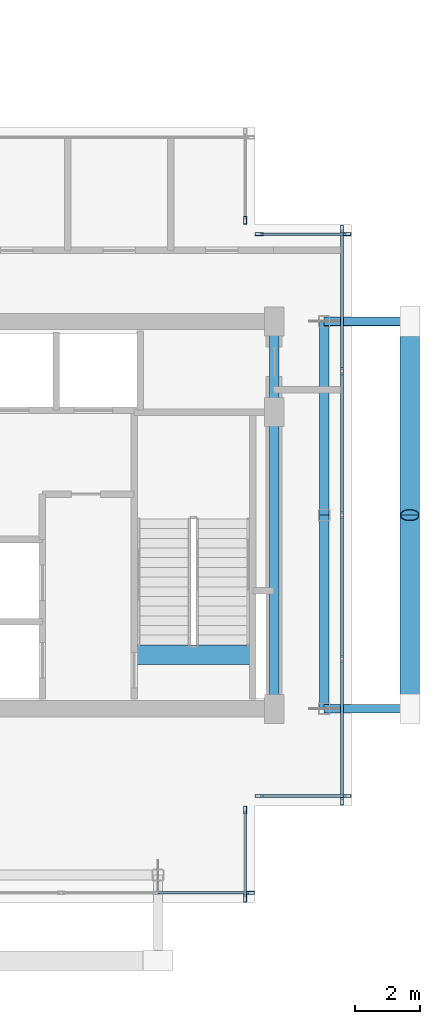
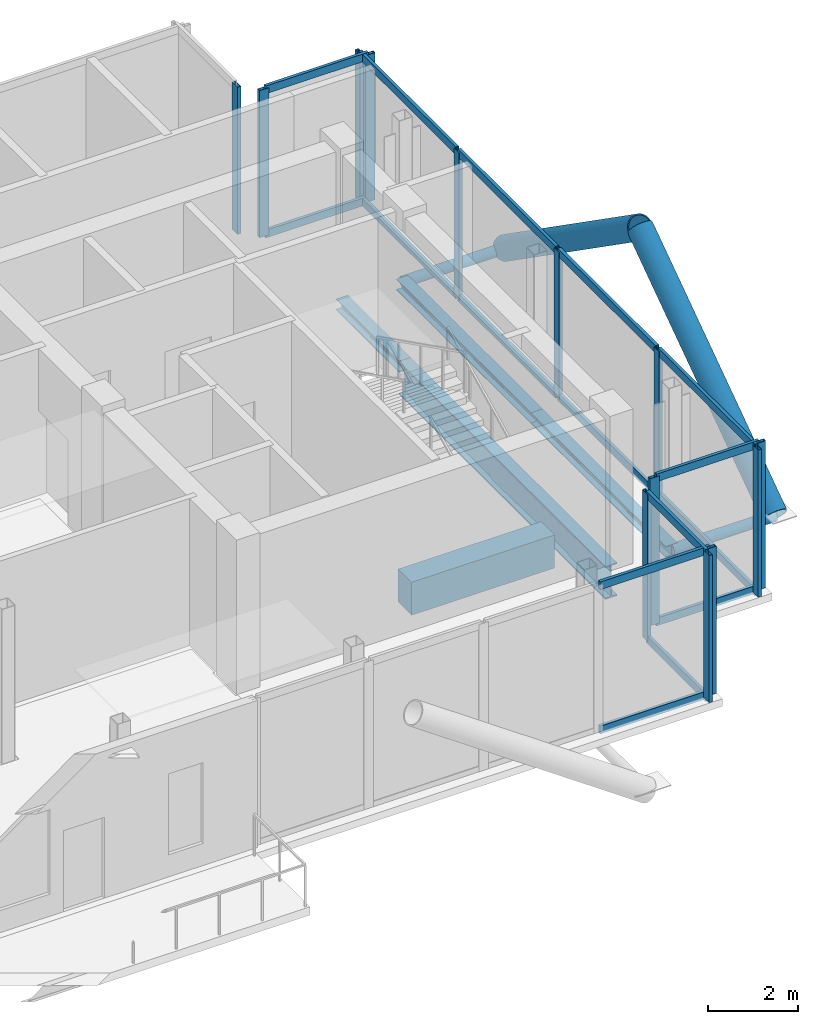
# One storey, part 9 of 16: 33 members, 5 beams, 6 elements without a shape of their own.
"""IFC4 building model written with IfcOpenShell, lengths in metres."""

from ifc_helpers import new_model, si_unit, direction, frame, origin, origin_2d, place, context, subcontext, project, spatial, rectangle, hollow_rectangle, hollow_circle, i_section, extrude, material, layer, layer_set, material_profile, profile_set, type_object, element, aggregate, save


model = new_model("IFC4")

# Units and contexts
model_context = context("Model", 3, precision=1e-05, world=origin(), true_north=direction((0.0, 1.0)))
body_context = subcontext(model_context, "Body", "Model", "MODEL_VIEW")
ifc_project = project(units=[si_unit("LENGTHUNIT", "METRE"), si_unit("AREAUNIT", "SQUARE_METRE"), si_unit("VOLUMEUNIT", "CUBIC_METRE"), si_unit("PLANEANGLEUNIT", "RADIAN"), si_unit("MASSUNIT", "GRAM", prefix="KILO"), si_unit("THERMODYNAMICTEMPERATUREUNIT", "KELVIN"), si_unit("POWERUNIT", "WATT")], contexts=[model_context])

# Site, building, storey
site_placement = place(None, origin())
site = spatial("IfcSite", under=ifc_project, at=site_placement, CompositionType="ELEMENT")
building_placement = place(site_placement, origin())
building = spatial("IfcBuilding", under=site, at=building_placement, Name="Svarakhadi Broadcast Tower", CompositionType="ELEMENT")
storey_placement = place(building_placement, frame((0.0, 0.0, 292.199951171875)))
storey = spatial("IfcBuildingStorey", under=building, at=storey_placement, Name="L74", CompositionType="ELEMENT", Elevation=292.199951171875)

# Curtain wall, member
ifc_material_1 = material(Name="Anodised Bronze Aluminium AA 6063-T6", Category="aluminium")
ifc_layer = layer(ifc_material_1, 0.239990234375)
ifc_layer_set = layer_set([ifc_layer], Name="Anodised Bronze Aluminium AA 6063-T6")
curtain_wall_type = type_object("IfcCurtainWallType", Name="CW_Sys_06", PredefinedType="NOTDEFINED", material=ifc_layer_set)
curtain_wall_1_placement = place(storey_placement, origin())
curtain_wall_1 = element("IfcCurtainWall", 1, at=curtain_wall_1_placement, inside=storey, type_object=curtain_wall_type, Name="L74 Unitised Facade Curtain Wall 11", PredefinedType="NOTDEFINED")
ifc_material_profile_1 = material_profile(ifc_material_1, hollow_rectangle(XDim=0.090087890625, YDim=0.239990234375, WallThickness=0.006103515625, at=origin_2d()), Name="ALU MULLION 240x90x6")
ifc_profile_set_1 = profile_set([ifc_material_profile_1], Name="Anodised Bronze Aluminium AA 6063-T6")
member_type_1 = type_object("IfcMemberType", Name="CW_Sys_06_Mul", PredefinedType="MULLION", material=ifc_profile_set_1)
member_1_placement = place(storey_placement, frame((32.699951171875, 21.135009765625, 0.0), z_axis=(0.0, 0.0, 1.0), x_axis=(1.0, 0.0, 0.0)))
member_1 = element("IfcMember", 2, at=member_1_placement, type_object=member_type_1, Name="CW-06 mullion 2", PredefinedType="MULLION", context=body_context, shape_type="SweptSolid", body=[
    extrude(hollow_rectangle(XDim=0.090087890625, YDim=0.239990234375, WallThickness=0.006103515625, at=origin_2d()), origin(), (0.0, 0.0, 1.0), 4.0),
])
aggregate(curtain_wall_1, [member_1])

# Curtain wall, members
curtain_wall_2_placement = place(storey_placement, origin())
curtain_wall_2 = element("IfcCurtainWall", 3, at=curtain_wall_2_placement, inside=storey, type_object=curtain_wall_type, Name="L74 Unitised Facade Curtain Wall 12", PredefinedType="NOTDEFINED")
member_2_placement = place(storey_placement, frame((33.135009765625, 20.699951171875, 0.0), z_axis=(0.0, 0.0, 1.0), x_axis=(0.0, 1.0, 0.0)))
member_2 = element("IfcMember", 4, at=member_2_placement, type_object=member_type_1, Name="CW-06 mullion 1", PredefinedType="MULLION", context=body_context, shape_type="SweptSolid", body=[
    extrude(hollow_rectangle(XDim=0.090087890625, YDim=0.239990234375, WallThickness=0.006103515625, at=origin_2d()), origin(), (0.0, 0.0, 1.0), 4.0),
])
member_3_placement = place(storey_placement, frame((35.864990234375, 20.699951171875, 0.0), z_axis=(0.0, 0.0, 1.0), x_axis=(0.0, 1.0, 0.0)))
member_3 = element("IfcMember", 5, at=member_3_placement, type_object=member_type_1, Name="CW-06 mullion 2", PredefinedType="MULLION", context=body_context, shape_type="SweptSolid", body=[
    extrude(hollow_rectangle(XDim=0.090087890625, YDim=0.239990234375, WallThickness=0.006103515625, at=origin_2d()), origin(), (0.0, 0.0, 1.0), 4.0),
])

curtain_wall_3_placement = place(storey_placement, origin())
curtain_wall_3 = element("IfcCurtainWall", 6, at=curtain_wall_3_placement, inside=storey, type_object=curtain_wall_type, Name="L74 Unitised Facade Curtain Wall 13", PredefinedType="NOTDEFINED")
member_4_placement = place(storey_placement, frame((35.699951171875, 20.864990234375, 0.0), z_axis=(0.0, 0.0, 1.0), x_axis=(1.0, 0.0, 0.0)))
member_4 = element("IfcMember", 7, at=member_4_placement, type_object=member_type_1, Name="CW-06 mullion 1", PredefinedType="MULLION", context=body_context, shape_type="SweptSolid", body=[
    extrude(hollow_rectangle(XDim=0.090087890625, YDim=0.239990234375, WallThickness=0.006103515625, at=origin_2d()), origin(), (0.0, 0.0, 1.0), 4.0),
])
member_5_placement = place(storey_placement, frame((35.699951171875, 16.455078125, 0.0), z_axis=(0.0, 0.0, 1.0), x_axis=(1.0, 0.0, 0.0)))
member_5 = element("IfcMember", 8, at=member_5_placement, type_object=member_type_1, Name="CW-06 mullion 2", PredefinedType="MULLION", context=body_context, shape_type="SweptSolid", body=[
    extrude(hollow_rectangle(XDim=0.090087890625, YDim=0.239990234375, WallThickness=0.006103515625, at=origin_2d()), origin(), (0.0, 0.0, 1.0), 4.0),
])
member_6_placement = place(storey_placement, frame((35.699951171875, 12.0, 0.0), z_axis=(0.0, 0.0, 1.0), x_axis=(1.0, 0.0, 0.0)))
member_6 = element("IfcMember", 9, at=member_6_placement, type_object=member_type_1, Name="CW-06 mullion 3", PredefinedType="MULLION", context=body_context, shape_type="SweptSolid", body=[
    extrude(hollow_rectangle(XDim=0.090087890625, YDim=0.239990234375, WallThickness=0.006103515625, at=origin_2d()), origin(), (0.0, 0.0, 1.0), 4.0),
])
member_7_placement = place(storey_placement, frame((35.699951171875, 7.544921875, 0.0), z_axis=(0.0, 0.0, 1.0), x_axis=(1.0, 0.0, 0.0)))
member_7 = element("IfcMember", 10, at=member_7_placement, type_object=member_type_1, Name="CW-06 mullion 4", PredefinedType="MULLION", context=body_context, shape_type="SweptSolid", body=[
    extrude(hollow_rectangle(XDim=0.090087890625, YDim=0.239990234375, WallThickness=0.006103515625, at=origin_2d()), origin(), (0.0, 0.0, 1.0), 4.0),
])
member_8_placement = place(storey_placement, frame((35.699951171875, 3.135009765625, 0.0), z_axis=(0.0, 0.0, 1.0), x_axis=(1.0, 0.0, 0.0)))
member_8 = element("IfcMember", 11, at=member_8_placement, type_object=member_type_1, Name="CW-06 mullion 5", PredefinedType="MULLION", context=body_context, shape_type="SweptSolid", body=[
    extrude(hollow_rectangle(XDim=0.090087890625, YDim=0.239990234375, WallThickness=0.006103515625, at=origin_2d()), origin(), (0.0, 0.0, 1.0), 4.0),
])

curtain_wall_4_placement = place(storey_placement, origin())
curtain_wall_4 = element("IfcCurtainWall", 12, at=curtain_wall_4_placement, inside=storey, type_object=curtain_wall_type, Name="L74 Unitised Facade Curtain Wall 14", PredefinedType="NOTDEFINED")
member_9_placement = place(storey_placement, frame((35.864990234375, 3.300048828125, 0.0), z_axis=(0.0, 0.0, 1.0), x_axis=(0.0, -1.0, 0.0)))
member_9 = element("IfcMember", 13, at=member_9_placement, type_object=member_type_1, Name="CW-06 mullion 1", PredefinedType="MULLION", context=body_context, shape_type="SweptSolid", body=[
    extrude(hollow_rectangle(XDim=0.090087890625, YDim=0.239990234375, WallThickness=0.006103515625, at=origin_2d()), origin(), (0.0, 0.0, 1.0), 4.0),
])
member_10_placement = place(storey_placement, frame((33.135009765625, 3.300048828125, 0.0), z_axis=(0.0, 0.0, 1.0), x_axis=(0.0, -1.0, 0.0)))
member_10 = element("IfcMember", 14, at=member_10_placement, type_object=member_type_1, Name="CW-06 mullion 2", PredefinedType="MULLION", context=body_context, shape_type="SweptSolid", body=[
    extrude(hollow_rectangle(XDim=0.090087890625, YDim=0.239990234375, WallThickness=0.006103515625, at=origin_2d()), origin(), (0.0, 0.0, 1.0), 4.0),
])

curtain_wall_5_placement = place(storey_placement, origin())
curtain_wall_5 = element("IfcCurtainWall", 15, at=curtain_wall_5_placement, inside=storey, type_object=curtain_wall_type, Name="L74 Unitised Facade Curtain Wall 15", PredefinedType="NOTDEFINED")
member_11_placement = place(storey_placement, frame((32.699951171875, 2.864990234375, 0.0), z_axis=(0.0, 0.0, 1.0), x_axis=(1.0, 0.0, 0.0)))
member_11 = element("IfcMember", 16, at=member_11_placement, type_object=member_type_1, Name="CW-06 mullion 1", PredefinedType="MULLION", context=body_context, shape_type="SweptSolid", body=[
    extrude(hollow_rectangle(XDim=0.090087890625, YDim=0.239990234375, WallThickness=0.006103515625, at=origin_2d()), origin(), (0.0, 0.0, 1.0), 4.0),
])
member_12_placement = place(storey_placement, frame((32.699951171875, 0.135009765625, 0.0), z_axis=(0.0, 0.0, 1.0), x_axis=(1.0, 0.0, 0.0)))
member_12 = element("IfcMember", 17, at=member_12_placement, type_object=member_type_1, Name="CW-06 mullion 2", PredefinedType="MULLION", context=body_context, shape_type="SweptSolid", body=[
    extrude(hollow_rectangle(XDim=0.090087890625, YDim=0.239990234375, WallThickness=0.006103515625, at=origin_2d()), origin(), (0.0, 0.0, 1.0), 4.0),
])

# Curtain wall, member
curtain_wall_6_placement = place(storey_placement, origin())
curtain_wall_6 = element("IfcCurtainWall", 18, at=curtain_wall_6_placement, inside=storey, type_object=curtain_wall_type, Name="L74 South Curtain Wall 16", PredefinedType="NOTDEFINED")
member_13_placement = place(storey_placement, frame((32.864990234375, 0.300048828125, 0.0), z_axis=(0.0, 0.0, 1.0), x_axis=(0.0, -1.0, 0.0)))
member_13 = element("IfcMember", 19, at=member_13_placement, type_object=member_type_1, Name="CW-06 mullion 1", PredefinedType="MULLION", context=body_context, shape_type="SweptSolid", body=[
    extrude(hollow_rectangle(XDim=0.090087890625, YDim=0.239990234375, WallThickness=0.006103515625, at=origin_2d()), origin(), (0.0, 0.0, 1.0), 4.0),
])

# Member
ifc_material_profile_2 = material_profile(ifc_material_1, hollow_rectangle(XDim=0.080078125, YDim=0.2099609375, WallThickness=0.0048828125, at=origin_2d()), Name="ALU TRANSOM 210x80x5")
ifc_profile_set_2 = profile_set([ifc_material_profile_2], Name="Anodised Bronze Aluminium AA 6063-T6")
member_type_2 = type_object("IfcMemberType", Name="CW_Sys_06_Trn", PredefinedType="USERDEFINED", material=ifc_profile_set_2)
member_14_placement = place(storey_placement, frame((33.179931640625, 20.699951171875, 0.0400390625), z_axis=(1.0, 0.0, 0.0), x_axis=(0.0, 1.0, 0.0)))
member_14 = element("IfcMember", 20, at=member_14_placement, type_object=member_type_2, Name="CW-06 transom 1.1", ObjectType="TRANSOM", PredefinedType="USERDEFINED", context=body_context, shape_type="SweptSolid", body=[
    extrude(hollow_rectangle(XDim=0.080078125, YDim=0.2099609375, WallThickness=0.0048828125, at=origin_2d()), origin(), (0.0, 0.0, 1.0), 2.64013671875),
])

member_15_placement = place(storey_placement, frame((33.179931640625, 20.699951171875, 3.9599609375), z_axis=(1.0, 0.0, 0.0), x_axis=(0.0, 1.0, 0.0)))
member_15 = element("IfcMember", 21, at=member_15_placement, type_object=member_type_2, Name="CW-06 transom 1.2", ObjectType="TRANSOM", PredefinedType="USERDEFINED", context=body_context, shape_type="SweptSolid", body=[
    extrude(hollow_rectangle(XDim=0.080078125, YDim=0.2099609375, WallThickness=0.0048828125, at=origin_2d()), origin(), (0.0, 0.0, 1.0), 2.64013671875),
])

aggregate(curtain_wall_2, [member_2, member_3, member_14, member_15])

member_16_placement = place(storey_placement, frame((35.699951171875, 20.820068359375, 0.0400390625), z_axis=(0.0, -1.0, 0.0), x_axis=(1.0, 0.0, 0.0)))
member_16 = element("IfcMember", 22, at=member_16_placement, type_object=member_type_2, Name="CW-06 transom 1.1", ObjectType="TRANSOM", PredefinedType="USERDEFINED", context=body_context, shape_type="SweptSolid", body=[
    extrude(hollow_rectangle(XDim=0.080078125, YDim=0.2099609375, WallThickness=0.0048828125, at=origin_2d()), origin(), (0.0, 0.0, 1.0), 4.320068359375),
])

member_17_placement = place(storey_placement, frame((35.699951171875, 20.820068359375, 3.9599609375), z_axis=(0.0, -1.0, 0.0), x_axis=(1.0, 0.0, 0.0)))
member_17 = element("IfcMember", 23, at=member_17_placement, type_object=member_type_2, Name="CW-06 transom 1.2", ObjectType="TRANSOM", PredefinedType="USERDEFINED", context=body_context, shape_type="SweptSolid", body=[
    extrude(hollow_rectangle(XDim=0.080078125, YDim=0.2099609375, WallThickness=0.0048828125, at=origin_2d()), origin(), (0.0, 0.0, 1.0), 4.320068359375),
])

member_18_placement = place(storey_placement, frame((35.699951171875, 16.409912109375, 0.0400390625), z_axis=(0.0, -1.0, 0.0), x_axis=(1.0, 0.0, 0.0)))
member_18 = element("IfcMember", 24, at=member_18_placement, type_object=member_type_2, Name="CW-06 transom 2.1", ObjectType="TRANSOM", PredefinedType="USERDEFINED", context=body_context, shape_type="SweptSolid", body=[
    extrude(hollow_rectangle(XDim=0.080078125, YDim=0.2099609375, WallThickness=0.0048828125, at=origin_2d()), origin(), (0.0, 0.0, 1.0), 4.364990234375),
])

member_19_placement = place(storey_placement, frame((35.699951171875, 16.409912109375, 3.9599609375), z_axis=(0.0, -1.0, 0.0), x_axis=(1.0, 0.0, 0.0)))
member_19 = element("IfcMember", 25, at=member_19_placement, type_object=member_type_2, Name="CW-06 transom 2.2", ObjectType="TRANSOM", PredefinedType="USERDEFINED", context=body_context, shape_type="SweptSolid", body=[
    extrude(hollow_rectangle(XDim=0.080078125, YDim=0.2099609375, WallThickness=0.0048828125, at=origin_2d()), origin(), (0.0, 0.0, 1.0), 4.364990234375),
])

member_20_placement = place(storey_placement, frame((35.699951171875, 11.955078125, 0.0400390625), z_axis=(0.0, -1.0, 0.0), x_axis=(1.0, 0.0, 0.0)))
member_20 = element("IfcMember", 26, at=member_20_placement, type_object=member_type_2, Name="CW-06 transom 3.1", ObjectType="TRANSOM", PredefinedType="USERDEFINED", context=body_context, shape_type="SweptSolid", body=[
    extrude(hollow_rectangle(XDim=0.080078125, YDim=0.2099609375, WallThickness=0.0048828125, at=origin_2d()), origin(), (0.0, 0.0, 1.0), 4.364990234375),
])

member_21_placement = place(storey_placement, frame((35.699951171875, 11.955078125, 3.9599609375), z_axis=(0.0, -1.0, 0.0), x_axis=(1.0, 0.0, 0.0)))
member_21 = element("IfcMember", 27, at=member_21_placement, type_object=member_type_2, Name="CW-06 transom 3.2", ObjectType="TRANSOM", PredefinedType="USERDEFINED", context=body_context, shape_type="SweptSolid", body=[
    extrude(hollow_rectangle(XDim=0.080078125, YDim=0.2099609375, WallThickness=0.0048828125, at=origin_2d()), origin(), (0.0, 0.0, 1.0), 4.364990234375),
])

member_22_placement = place(storey_placement, frame((35.699951171875, 7.5, 0.0400390625), z_axis=(0.0, -1.0, 0.0), x_axis=(1.0, 0.0, 0.0)))
member_22 = element("IfcMember", 28, at=member_22_placement, type_object=member_type_2, Name="CW-06 transom 4.1", ObjectType="TRANSOM", PredefinedType="USERDEFINED", context=body_context, shape_type="SweptSolid", body=[
    extrude(hollow_rectangle(XDim=0.080078125, YDim=0.2099609375, WallThickness=0.0048828125, at=origin_2d()), origin(), (0.0, 0.0, 1.0), 4.320068359375),
])

member_23_placement = place(storey_placement, frame((35.699951171875, 7.5, 3.9599609375), z_axis=(0.0, -1.0, 0.0), x_axis=(1.0, 0.0, 0.0)))
member_23 = element("IfcMember", 29, at=member_23_placement, type_object=member_type_2, Name="CW-06 transom 4.2", ObjectType="TRANSOM", PredefinedType="USERDEFINED", context=body_context, shape_type="SweptSolid", body=[
    extrude(hollow_rectangle(XDim=0.080078125, YDim=0.2099609375, WallThickness=0.0048828125, at=origin_2d()), origin(), (0.0, 0.0, 1.0), 4.320068359375),
])

aggregate(curtain_wall_3, [member_4, member_5, member_6, member_7, member_8, member_16, member_17, member_18, member_19, member_20, member_21, member_22, member_23])

member_24_placement = place(storey_placement, frame((35.820068359375, 3.300048828125, 0.0400390625), z_axis=(-1.0, 0.0, 0.0), x_axis=(0.0, -1.0, 0.0)))
member_24 = element("IfcMember", 30, at=member_24_placement, type_object=member_type_2, Name="CW-06 transom 1.1", ObjectType="TRANSOM", PredefinedType="USERDEFINED", context=body_context, shape_type="SweptSolid", body=[
    extrude(hollow_rectangle(XDim=0.080078125, YDim=0.2099609375, WallThickness=0.0048828125, at=origin_2d()), origin(), (0.0, 0.0, 1.0), 2.64013671875),
])

member_25_placement = place(storey_placement, frame((35.820068359375, 3.300048828125, 3.9599609375), z_axis=(-1.0, 0.0, 0.0), x_axis=(0.0, -1.0, 0.0)))
member_25 = element("IfcMember", 31, at=member_25_placement, type_object=member_type_2, Name="CW-06 transom 1.2", ObjectType="TRANSOM", PredefinedType="USERDEFINED", context=body_context, shape_type="SweptSolid", body=[
    extrude(hollow_rectangle(XDim=0.080078125, YDim=0.2099609375, WallThickness=0.0048828125, at=origin_2d()), origin(), (0.0, 0.0, 1.0), 2.64013671875),
])

aggregate(curtain_wall_4, [member_9, member_10, member_24, member_25])

member_26_placement = place(storey_placement, frame((32.699951171875, 2.820068359375, 0.0400390625), z_axis=(0.0, -1.0, 0.0), x_axis=(1.0, 0.0, 0.0)))
member_26 = element("IfcMember", 32, at=member_26_placement, type_object=member_type_2, Name="CW-06 transom 1.1", ObjectType="TRANSOM", PredefinedType="USERDEFINED", context=body_context, shape_type="SweptSolid", body=[
    extrude(hollow_rectangle(XDim=0.080078125, YDim=0.2099609375, WallThickness=0.0048828125, at=origin_2d()), origin(), (0.0, 0.0, 1.0), 2.64013671875),
])

member_27_placement = place(storey_placement, frame((32.699951171875, 2.820068359375, 3.9599609375), z_axis=(0.0, -1.0, 0.0), x_axis=(1.0, 0.0, 0.0)))
member_27 = element("IfcMember", 33, at=member_27_placement, type_object=member_type_2, Name="CW-06 transom 1.2", ObjectType="TRANSOM", PredefinedType="USERDEFINED", context=body_context, shape_type="SweptSolid", body=[
    extrude(hollow_rectangle(XDim=0.080078125, YDim=0.2099609375, WallThickness=0.0048828125, at=origin_2d()), origin(), (0.0, 0.0, 1.0), 2.64013671875),
])

aggregate(curtain_wall_5, [member_11, member_12, member_26, member_27])

member_28_placement = place(storey_placement, frame((32.820068359375, 0.300048828125, 0.0400390625), z_axis=(-1.0, 0.0, 0.0), x_axis=(0.0, -1.0, 0.0)))
member_28 = element("IfcMember", 34, at=member_28_placement, type_object=member_type_2, Name="CW-06 transom 1.1", ObjectType="TRANSOM", PredefinedType="USERDEFINED", context=body_context, shape_type="SweptSolid", body=[
    extrude(hollow_rectangle(XDim=0.080078125, YDim=0.2099609375, WallThickness=0.0048828125, at=origin_2d()), origin(), (0.0, 0.0, 1.0), 2.820068359375),
])

member_29_placement = place(storey_placement, frame((32.820068359375, 0.300048828125, 3.9599609375), z_axis=(-1.0, 0.0, 0.0), x_axis=(0.0, -1.0, 0.0)))
member_29 = element("IfcMember", 35, at=member_29_placement, type_object=member_type_2, Name="CW-06 transom 1.2", ObjectType="TRANSOM", PredefinedType="USERDEFINED", context=body_context, shape_type="SweptSolid", body=[
    extrude(hollow_rectangle(XDim=0.080078125, YDim=0.2099609375, WallThickness=0.0048828125, at=origin_2d()), origin(), (0.0, 0.0, 1.0), 2.820068359375),
])

aggregate(curtain_wall_6, [member_13, member_28, member_29])

# Beam
ifc_material_2 = material(Name="Concrete C50/60 (IS 456 M60)", Category="concrete")
ifc_material_profile_3 = material_profile(ifc_material_2, rectangle(XDim=0.60009765625, YDim=0.89990234375, at=origin_2d()), Name="RC 600x900")
ifc_profile_set_3 = profile_set([ifc_material_profile_3], Name="Concrete C50/60 (IS 456 M60)")
beam_type_1 = type_object("IfcBeamType", Name="Coupling_RC600", PredefinedType="USERDEFINED", material=ifc_profile_set_3)
beam_1_placement = place(storey_placement, frame((29.260009765625, 7.679931640625, -0.449951171875), z_axis=(1.0, 0.0, 0.0), x_axis=(0.0, 1.0, 0.0)))
element("IfcBeam", 36, at=beam_1_placement, inside=storey, type_object=beam_type_1, Name="L74 Stair ST-02 Landing Throat Trimmer Beam CB-01", ObjectType="GIRDER", PredefinedType="USERDEFINED", context=body_context, shape_type="SweptSolid", body=[
    extrude(rectangle(XDim=0.60009765625, YDim=0.89990234375, at=origin_2d()), origin(), (0.0, 0.0, 1.0), 3.679931640625),
])

# Members
ifc_material_3 = material(Name="Steel S460ML (IS 2062 E450BR)", Category="steel")
ifc_material_profile_4 = material_profile(ifc_material_3, hollow_circle(Radius=0.304931640625, WallThickness=0.030029296875, at=origin_2d()), Name="CHS 610x30")
ifc_profile_set_4 = profile_set([ifc_material_profile_4], Name="Steel S460ML (IS 2062 E450BR)")
member_type_3 = type_object("IfcMemberType", Name="Exo_Brace_CHS610", PredefinedType="BRACE", material=ifc_profile_set_4)
for number, where, z_axis, x_axis, name in (
    (37, (37.800048828125, 6.0, -0.33642578125), (0.0, 0.819235052632, 0.57345786989), (-1.0, 0.0, 0.0), "L74 Exposed Bronze Exoskeleton Diagonal E02"),
    (38, (37.800048828125, 18.0, -0.33642578125), (0.0, -0.819235052632, 0.57345786989), (1.0, 0.0, 0.0), "L74 Exposed Bronze Exoskeleton Diagonal E03"),
):
    element("IfcMember", number, at=place(storey_placement, frame(where, z_axis=z_axis, x_axis=x_axis)), inside=storey, type_object=member_type_3, Name=name, PredefinedType="BRACE", context=body_context, shape_type="SweptSolid", body=[
        extrude(hollow_circle(Radius=0.304931640625, WallThickness=0.030029296875, at=origin_2d()), origin(), (0.0, 0.0, 1.0), 7.323974609375),
    ])
ifc_material_profile_5 = material_profile(ifc_material_3, hollow_circle(Radius=0.136474609375, WallThickness=0.012451171875, at=origin_2d()), Name="CHS 273x12.5")
ifc_profile_set_5 = profile_set([ifc_material_profile_5], Name="Steel S460ML (IS 2062 E450BR)")
member_type_4 = type_object("IfcMemberType", Name="Exo_Radial_Strut_Z3", PredefinedType="STRUT", material=ifc_profile_set_5)
for number, where, z_axis, x_axis, name in (
    (39, (37.800048828125, 6.0, -0.33642578125), (-1.0, 0.0, 0.0), (0.0, -1.0, 0.0), "L74 Exoskeleton Radial Tie Strut E05"),
    (40, (37.800048828125, 18.0, -0.33642578125), (-1.0, 0.0, 0.0), (0.0, -1.0, 0.0), "L74 Exoskeleton Radial Tie Strut E06"),
):
    element("IfcMember", number, at=place(storey_placement, frame(where, z_axis=z_axis, x_axis=x_axis)), inside=storey, type_object=member_type_4, Name=name, PredefinedType="STRUT", context=body_context, shape_type="SweptSolid", body=[
        extrude(hollow_circle(Radius=0.136474609375, WallThickness=0.012451171875, at=origin_2d()), origin(), (0.0, 0.0, 1.0), 2.650146484375),
    ])

# Beams
ifc_material_4 = material(Name="Steel S355J2 (IS 2062 E350C)", Category="steel")
ifc_material_profile_6 = material_profile(ifc_material_4, i_section(OverallWidth=0.300048828125, OverallDepth=0.300048828125, WebThickness=0.010986328125, FlangeThickness=0.01904296875, FilletRadius=0.027099609375, at=origin_2d()), Name="WPB 300x300x117")
ifc_profile_set_6 = profile_set([ifc_material_profile_6], Name="Steel S355J2 (IS 2062 E350C)")
beam_type_2 = type_object("IfcBeamType", Name="Girder_WPB300", PredefinedType="USERDEFINED", material=ifc_profile_set_6)
beam_2_placement = place(storey_placement, frame((33.60009765625, 15.199951171875, -0.349853515625), z_axis=(0.0, 1.0, 0.0), x_axis=(-1.0, 0.0, 0.0)))
element("IfcBeam", 41, at=beam_2_placement, inside=storey, type_object=beam_type_2, Name="L74 Primary N-S Girder G044", ObjectType="GIRDER", PredefinedType="USERDEFINED", context=body_context, shape_type="SweptSolid", body=[
    extrude(i_section(OverallWidth=0.300048828125, OverallDepth=0.300048828125, WebThickness=0.010986328125, FlangeThickness=0.01904296875, FilletRadius=0.027099609375, at=origin_2d()), origin(), (0.0, 0.0, 1.0), 2.800048828125),
])
for number, where, z_axis, x_axis, name in (
    (42, (35.14990234375, 6.0, -0.349853515625), (0.0, 1.0, 0.0), (-1.0, 0.0, 0.0), "L74 Primary N-S Girder G045"),
    (43, (35.14990234375, 12.0, -0.349853515625), (0.0, 1.0, 0.0), (-1.0, 0.0, 0.0), "L74 Primary N-S Girder G046"),
):
    element("IfcBeam", number, at=place(storey_placement, frame(where, z_axis=z_axis, x_axis=x_axis)), inside=storey, type_object=beam_type_2, Name=name, ObjectType="GIRDER", PredefinedType="USERDEFINED", context=body_context, shape_type="SweptSolid", body=[
        extrude(i_section(OverallWidth=0.300048828125, OverallDepth=0.300048828125, WebThickness=0.010986328125, FlangeThickness=0.01904296875, FilletRadius=0.027099609375, at=origin_2d()), origin(), (0.0, 0.0, 1.0), 6.0),
    ])
ifc_material_profile_7 = material_profile(ifc_material_3, i_section(OverallWidth=0.300048828125, OverallDepth=0.89990234375, WebThickness=0.0185546875, FlangeThickness=0.034912109375, FilletRadius=0.030029296875, at=origin_2d()), Name="WPB 900x300x291")
ifc_profile_set_7 = profile_set([ifc_material_profile_7], Name="Steel S460ML (IS 2062 E450BR)")
beam_type_3 = type_object("IfcBeamType", Name="Girder_WPB900", PredefinedType="USERDEFINED", material=ifc_profile_set_7)
beam_3_placement = place(storey_placement, frame((33.60009765625, 6.0, -0.64990234375), z_axis=(0.0, 1.0, 0.0), x_axis=(-1.0, 0.0, 0.0)))
element("IfcBeam", 44, at=beam_3_placement, inside=storey, type_object=beam_type_3, Name="L74 Primary N-S Girder G043", ObjectType="GIRDER", PredefinedType="USERDEFINED", context=body_context, shape_type="SweptSolid", body=[
    extrude(i_section(OverallWidth=0.300048828125, OverallDepth=0.89990234375, WebThickness=0.0185546875, FlangeThickness=0.034912109375, FilletRadius=0.030029296875, at=origin_2d()), origin(), (0.0, 0.0, 1.0), 9.199951171875),
])

save(model, "model.ifc")
